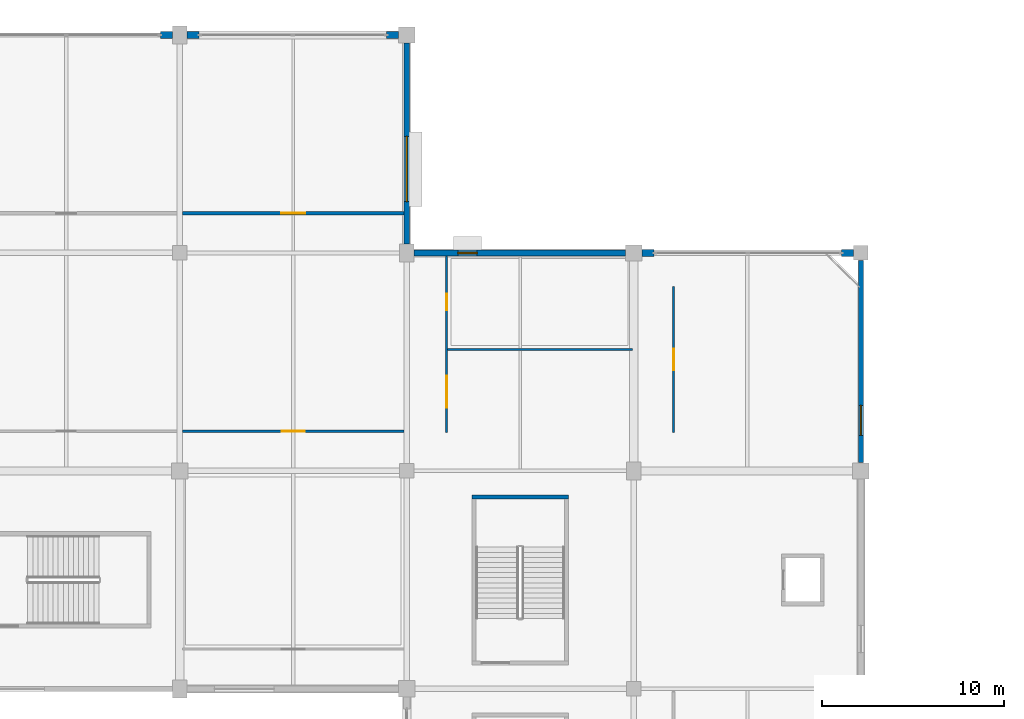
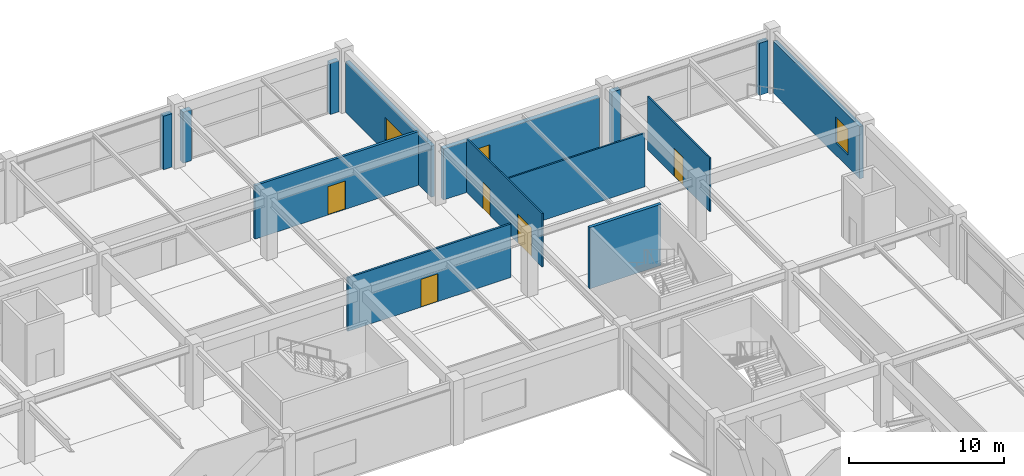
# One storey, part 82 of 116: 14 walls, 5 doors, 3 windows, 8 openings.
"""IFC4 building model written with IfcOpenShell, lengths in metres."""

from ifc_helpers import new_model, si_unit, direction, frame, frame_2d, origin, place, context, subcontext, project, spatial, rectangle, extrude, material, layer, layer_set, type_object, element, fill, save


model = new_model("IFC4")

# Units and contexts
model_context = context("Model", 3, precision=1e-05, world=origin(), true_north=direction((0.0, 1.0)))
body_context = subcontext(model_context, "Body", "Model", "MODEL_VIEW")
ifc_project = project(units=[si_unit("LENGTHUNIT", "METRE"), si_unit("AREAUNIT", "SQUARE_METRE"), si_unit("VOLUMEUNIT", "CUBIC_METRE"), si_unit("PLANEANGLEUNIT", "RADIAN"), si_unit("MASSUNIT", "GRAM", prefix="KILO")], contexts=[model_context])

# Site, building, storey
site_placement = place(None, origin())
site = spatial("IfcSite", under=ifc_project, at=site_placement, CompositionType="ELEMENT")
building_placement = place(site_placement, origin())
building = spatial("IfcBuilding", under=site, at=building_placement, Name="Kazenohara Klinker Stadium", CompositionType="ELEMENT")
storey_placement = place(building_placement, frame((0.0, 0.0, 10.199951171875)))
storey = spatial("IfcBuildingStorey", under=building, at=storey_placement, Name="L02", CompositionType="ELEMENT", Elevation=10.199951171875)

# Wall
ifc_material_1 = material(Name="Concrete C40/50", Category="concrete")
ifc_layer_1 = layer(ifc_material_1, 0.22998046875)
ifc_layer_set_1 = layer_set([ifc_layer_1], Name="Concrete C40/50")
wall_type_1 = type_object("IfcWallType", Name="WAL-CORE-230", PredefinedType="SHEAR", material=ifc_layer_set_1)
wall_1_placement = place(storey_placement, frame((178.590087890625, 142.56494140625, 0.0), z_axis=(0.0, 0.0, 1.0), x_axis=(1.0, 0.0, 0.0)))
element("IfcWall", 1, at=wall_1_placement, inside=storey, type_object=wall_type_1, Name="Stairwell shear wall ST12 L02 North", PredefinedType="SHEAR", context=body_context, shape_type="SweptSolid", body=[
    extrude(rectangle(XDim=5.31982421875, YDim=0.22998046875, at=frame_2d((2.659912109375, 0.0))), origin(), (0.0, 0.0, 1.0), 4.820068359375),
])

# Wall, opening, window
ifc_material_2 = material(Name="Clinker brick masonry", Category="masonry")
ifc_layer_2 = layer(ifc_material_2, 0.280029296875)
ifc_layer_set_2 = layer_set([ifc_layer_2], Name="Clinker brick masonry")
wall_type_2 = type_object("IfcWallType", Name="WAL-EXT-CB280", PredefinedType="SOLIDWALL", material=ifc_layer_set_2)
wall_2_placement = place(storey_placement, frame((175.0, 156.50390625, 0.0), z_axis=(0.0, 0.0, 1.0), x_axis=(0.0, 1.0, 0.0)))
wall_2 = element("IfcWall", 2, at=wall_2_placement, inside=storey, type_object=wall_type_2, Name="Clinker brick cavity wall EW06 L02 Y14-13", PredefinedType="SOLIDWALL", context=body_context, shape_type="SweptSolid", body=[
    extrude(rectangle(XDim=11.0419921875, YDim=0.280029296875, at=frame_2d((5.52099609375, 0.0))), origin(), (0.0, 0.0, 1.0), 4.02001953125),
])
opening_1_placement = place(wall_2_placement, frame((2.31591796875, 0.0, 0.949951171875)))
opening_1 = element("IfcOpeningElement", 3, at=opening_1_placement, cuts=wall_2, Name="Opening W35", PredefinedType="OPENING", context=body_context, shape_type="SweptSolid", body=[
    extrude(rectangle(XDim=3.60009765625, YDim=1.75, at=frame_2d((1.800048828125, 0.875))), frame((0.0, 0.14990234375, 0.0), z_axis=(0.0, -1.0, 0.0), x_axis=(1.0, 0.0, 0.0)), (0.0, 0.0, 1.0), 0.300048828125),
])
ifc_material_3 = material(Name="Dark bronze aluminium frame and triple glazing", Category="aluminium")
window_type_1 = type_object("IfcWindowType", Name="WIN-AS-35", PartitioningType="SINGLE_PANEL", PredefinedType="WINDOW", material=ifc_material_3)
window_1_placement = place(opening_1_placement, origin())
window_1 = element("IfcWindow", 4, at=window_1_placement, inside=storey, type_object=window_type_1, Name="Horizontal-mullion ladder window W35 L02 Y14-13", OverallHeight=1.75, OverallWidth=3.60009765625, PartitioningType="SINGLE_PANEL", PredefinedType="WINDOW", context=body_context, shape_type="SweptSolid", body=[
    extrude(rectangle(XDim=3.60009765625, YDim=1.75, at=frame_2d((1.800048828125, 0.875))), frame((0.0, 0.030029296875, 0.0), z_axis=(0.0, -1.0, 0.0), x_axis=(1.0, 0.0, 0.0)), (0.0, 0.0, 1.0), 0.06005859375),
])
fill(opening_1, window_1)

wall_3_placement = place(storey_placement, frame((200.0, 144.4541015625, 0.0), z_axis=(0.0, 0.0, 1.0), x_axis=(0.0, 1.0, 0.0)))
wall_3 = element("IfcWall", 5, at=wall_3_placement, inside=storey, type_object=wall_type_2, Name="Clinker brick cavity wall EW06 L02 Y16-12", PredefinedType="SOLIDWALL", context=body_context, shape_type="SweptSolid", body=[
    extrude(rectangle(XDim=11.141845703125, YDim=0.280029296875, at=frame_2d((5.57080078125, 0.0))), origin(), (0.0, 0.0, 1.0), 4.1201171875),
])
opening_2_placement = place(wall_3_placement, frame((1.5, 0.0, 0.949951171875)))
opening_2 = element("IfcOpeningElement", 6, at=opening_2_placement, cuts=wall_3, Name="Opening W11", PredefinedType="OPENING", context=body_context, shape_type="SweptSolid", body=[
    extrude(rectangle(XDim=1.64990234375, YDim=2.050048828125, at=frame_2d((0.824951171875, 1.02490234375))), frame((0.0, 0.14990234375, 0.0), z_axis=(0.0, -1.0, 0.0), x_axis=(1.0, 0.0, 0.0)), (0.0, 0.0, 1.0), 0.300048828125),
])
window_type_2 = type_object("IfcWindowType", Name="WIN-AS-11", PartitioningType="SINGLE_PANEL", PredefinedType="WINDOW", material=ifc_material_3)
window_2_placement = place(opening_2_placement, origin())
window_2 = element("IfcWindow", 7, at=window_2_placement, inside=storey, type_object=window_type_2, Name="Horizontal-mullion ladder window W11 L02 Y16-12", OverallHeight=2.050048828125, OverallWidth=1.64990234375, PartitioningType="SINGLE_PANEL", PredefinedType="WINDOW", context=body_context, shape_type="SweptSolid", body=[
    extrude(rectangle(XDim=1.64990234375, YDim=2.050048828125, at=frame_2d((0.824951171875, 1.02490234375))), frame((0.0, 0.030029296875, 0.0), z_axis=(0.0, -1.0, 0.0), x_axis=(1.0, 0.0, 0.0)), (0.0, 0.0, 1.0), 0.06005859375),
])
fill(opening_2, window_2)

ifc_layer_3 = layer(ifc_material_2, 0.340087890625)
ifc_layer_set_3 = layer_set([ifc_layer_3], Name="Clinker brick masonry")
wall_type_3 = type_object("IfcWallType", Name="WAL-EXT-CB340", PredefinedType="SOLIDWALL", material=ifc_layer_set_3)
wall_4_placement = place(storey_placement, frame((175.404052734375, 156.0, 0.0), z_axis=(0.0, 0.0, 1.0), x_axis=(1.0, 0.0, 0.0)))
wall_4 = element("IfcWall", 8, at=wall_4_placement, inside=storey, type_object=wall_type_3, Name="Clinker brick cavity wall EW04 L02 X14-13", PredefinedType="SOLIDWALL", context=body_context, shape_type="SweptSolid", body=[
    extrude(rectangle(XDim=11.641845703125, YDim=0.340087890625, at=frame_2d((5.82080078125, 0.0))), origin(), (0.0, 0.0, 1.0), 4.02001953125),
])
opening_3_placement = place(wall_4_placement, frame((2.416015625, 0.0, 0.949951171875)))
opening_3 = element("IfcOpeningElement", 9, at=opening_3_placement, cuts=wall_4, Name="Opening W04", PredefinedType="OPENING", context=body_context, shape_type="SweptSolid", body=[
    extrude(rectangle(XDim=1.050048828125, YDim=2.199951171875, at=frame_2d((0.52490234375, 1.10009765625))), frame((0.0, 0.18017578125, 0.0), z_axis=(0.0, -1.0, 0.0), x_axis=(1.0, 0.0, 0.0)), (0.0, 0.0, 1.0), 0.360107421875),
])
window_type_3 = type_object("IfcWindowType", Name="WIN-AS-04", PartitioningType="SINGLE_PANEL", PredefinedType="WINDOW", material=ifc_material_3)
window_3_placement = place(opening_3_placement, origin())
window_3 = element("IfcWindow", 10, at=window_3_placement, inside=storey, type_object=window_type_3, Name="Horizontal-mullion ladder window W04 L02 X14-13", OverallHeight=2.199951171875, OverallWidth=1.050048828125, PartitioningType="SINGLE_PANEL", PredefinedType="WINDOW", context=body_context, shape_type="SweptSolid", body=[
    extrude(rectangle(XDim=1.050048828125, YDim=2.199951171875, at=frame_2d((0.52490234375, 1.10009765625))), frame((0.0, 0.030029296875, 0.0), z_axis=(0.0, -1.0, 0.0), x_axis=(1.0, 0.0, 0.0)), (0.0, 0.0, 1.0), 0.06005859375),
])
fill(opening_3, window_3)

# Walls
ifc_layer_4 = layer(ifc_material_2, 0.3701171875)
ifc_layer_set_4 = layer_set([ifc_layer_4], Name="Clinker brick masonry")
wall_type_4 = type_object("IfcWallType", Name="WAL-EXT-CB370", PredefinedType="SOLIDWALL", material=ifc_layer_set_4)
wall_5_placement = place(storey_placement, frame((161.446044921875, 168.0, 0.0), z_axis=(0.0, 0.0, 1.0), x_axis=(1.0, 0.0, 0.0)))
element("IfcWall", 11, at=wall_5_placement, inside=storey, type_object=wall_type_4, Name="Clinker brick curtain-wall jamb pier L02 X12-14 B", PredefinedType="SOLIDWALL", context=body_context, shape_type="SweptSolid", body=[
    extrude(rectangle(XDim=0.64990234375, YDim=0.3701171875, at=frame_2d((0.324951171875, 0.0))), origin(), (0.0, 0.0, 1.0), 4.219970703125),
])
for number, where, z_axis, x_axis, name in (
    (12, (162.904052734375, 168.0, 0.0), (0.0, 0.0, 1.0), (1.0, 0.0, 0.0), "Clinker brick curtain-wall jamb pier L02 X13-14 A"),
    (13, (173.89599609375, 168.0, 0.0), (0.0, 0.0, 1.0), (1.0, 0.0, 0.0), "Clinker brick curtain-wall jamb pier L02 X13-14 B"),
):
    element("IfcWall", number, at=place(storey_placement, frame(where, z_axis=z_axis, x_axis=x_axis)), inside=storey, type_object=wall_type_4, Name=name, PredefinedType="SOLIDWALL", context=body_context, shape_type="SweptSolid", body=[
        extrude(rectangle(XDim=0.64990234375, YDim=0.3701171875, at=frame_2d((0.324951171875, 0.0))), origin(), (0.0, 0.0, 1.0), 4.02001953125),
    ])
for number, where, z_axis, x_axis, name in (
    (14, (187.9541015625, 156.0, 0.0), (0.0, 0.0, 1.0), (1.0, 0.0, 0.0), "Clinker brick curtain-wall jamb pier L02 X15-13 A"),
    (15, (198.946044921875, 156.0, 0.0), (0.0, 0.0, 1.0), (1.0, 0.0, 0.0), "Clinker brick curtain-wall jamb pier L02 X15-13 B"),
):
    element("IfcWall", number, at=place(storey_placement, frame(where, z_axis=z_axis, x_axis=x_axis)), inside=storey, type_object=wall_type_4, Name=name, PredefinedType="SOLIDWALL", context=body_context, shape_type="SweptSolid", body=[
        extrude(rectangle(XDim=0.64990234375, YDim=0.3701171875, at=frame_2d((0.324951171875, 0.0))), origin(), (0.0, 0.0, 1.0), 4.1201171875),
    ])

# Wall, openings, doors
ifc_material_4 = material(Name="Fire-rated gypsum board on acoustic studs", Category="gypsum")
ifc_layer_5 = layer(ifc_material_4, 0.110107421875)
ifc_layer_set_5 = layer_set([ifc_layer_5], Name="Fire-rated gypsum board on acoustic studs")
wall_type_5 = type_object("IfcWallType", Name="WAL-INT-P110", PredefinedType="PARTITIONING", material=ifc_layer_set_5)
wall_6_placement = place(storey_placement, frame((177.18994140625, 146.1201171875, 0.0), z_axis=(0.0, 0.0, 1.0), x_axis=(0.0, 1.0, 0.0)))
wall_6 = element("IfcWall", 16, at=wall_6_placement, inside=storey, type_object=wall_type_5, Name="Interior partition wall PT01 SPC-L02-14-12-1-1", PredefinedType="PARTITIONING", context=body_context, shape_type="SweptSolid", body=[
    extrude(rectangle(XDim=9.707763671875, YDim=0.110107421875, at=frame_2d((4.85400390625, 0.0))), origin(), (0.0, 0.0, 1.0), 4.219970703125),
])
opening_4_placement = place(wall_6_placement, frame((3.124267578125, 0.0, 0.0), z_axis=(0.0, 0.0, 1.0), x_axis=(-1.0, 0.0, 0.0)))
opening_4 = element("IfcOpeningElement", 17, at=opening_4_placement, cuts=wall_6, Name="Opening ID26", PredefinedType="OPENING", context=body_context, shape_type="SweptSolid", body=[
    extrude(rectangle(XDim=1.760009765625, YDim=2.300048828125, at=frame_2d((0.8798828125, 1.14990234375))), frame((0.0, 0.06494140625, 0.0), z_axis=(0.0, -1.0, 0.0), x_axis=(1.0, 0.0, 0.0)), (0.0, 0.0, 1.0), 0.130126953125),
])
opening_5_placement = place(wall_6_placement, frame((7.634033203125, 0.0, 0.0), z_axis=(0.0, 0.0, 1.0), x_axis=(-1.0, 0.0, 0.0)))
opening_5 = element("IfcOpeningElement", 18, at=opening_5_placement, cuts=wall_6, Name="Opening ID01", PredefinedType="OPENING", context=body_context, shape_type="SweptSolid", body=[
    extrude(rectangle(XDim=0.89990234375, YDim=2.06005859375, at=frame_2d((0.449951171875, 1.030029296875))), frame((0.0, 0.06494140625, 0.0), z_axis=(0.0, -1.0, 0.0), x_axis=(1.0, 0.0, 0.0)), (0.0, 0.0, 1.0), 0.130126953125),
])
ifc_material_5 = material(Name="Solid-core Hokkaido oak fire door", Category="wood")
door_type_1 = type_object("IfcDoorType", Name="DR-INT-01", OperationType="NOTDEFINED", PredefinedType="DOOR", material=ifc_material_5)
door_1_placement = place(opening_5_placement, origin())
door_1 = element("IfcDoor", 19, at=door_1_placement, inside=storey, type_object=door_type_1, Name="Interior door ID01 Club Level Sommelier Wine Bar L02-1412B", OperationType="SINGLE_SWING_RIGHT", OverallHeight=2.06005859375, OverallWidth=0.89990234375, PredefinedType="DOOR", context=body_context, shape_type="SweptSolid", body=[
    extrude(rectangle(XDim=0.89990234375, YDim=2.06005859375, at=frame_2d((0.449951171875, 1.030029296875))), frame((0.0, 0.02490234375, 0.0), z_axis=(0.0, -1.0, 0.0), x_axis=(1.0, 0.0, 0.0)), (0.0, 0.0, 1.0), 0.050048828125),
])
fill(opening_5, door_1)
ifc_material_6 = material(Name="Painted steel plant fire door", Category="steel")
door_type_2 = type_object("IfcDoorType", Name="DR-INT-26", OperationType="NOTDEFINED", PredefinedType="DOOR", material=ifc_material_6)
door_2_placement = place(opening_4_placement, origin())
door_2 = element("IfcDoor", 20, at=door_2_placement, inside=storey, type_object=door_type_2, Name="Interior door ID26 Corporate Hospitality Viewing Suite L02-1412A", OperationType="SINGLE_SWING_LEFT", OverallHeight=2.300048828125, OverallWidth=1.760009765625, PredefinedType="DOOR", context=body_context, shape_type="SweptSolid", body=[
    extrude(rectangle(XDim=1.760009765625, YDim=2.300048828125, at=frame_2d((0.8798828125, 1.14990234375))), frame((0.0, 0.02490234375, 0.0), z_axis=(0.0, -1.0, 0.0), x_axis=(1.0, 0.0, 0.0)), (0.0, 0.0, 1.0), 0.050048828125),
])
fill(opening_4, door_2)

# Wall, opening, door
wall_7_placement = place(storey_placement, frame((189.68994140625, 146.1201171875, 0.0), z_axis=(0.0, 0.0, 1.0), x_axis=(0.0, 1.0, 0.0)))
wall_7 = element("IfcWall", 21, at=wall_7_placement, inside=storey, type_object=wall_type_5, Name="Interior partition wall PT01 SPC-L02-15-12-1-1", PredefinedType="PARTITIONING", context=body_context, shape_type="SweptSolid", body=[
    extrude(rectangle(XDim=8.02978515625, YDim=0.110107421875, at=frame_2d((4.014892578125, 0.0))), origin(), (0.0, 0.0, 1.0), 4.219970703125),
])
opening_6_placement = place(wall_7_placement, frame((4.60498046875, 0.0, 0.0), z_axis=(0.0, 0.0, 1.0), x_axis=(-1.0, 0.0, 0.0)))
opening_6 = element("IfcOpeningElement", 22, at=opening_6_placement, cuts=wall_7, Name="Opening ID11", PredefinedType="OPENING", context=body_context, shape_type="SweptSolid", body=[
    extrude(rectangle(XDim=1.179931640625, YDim=2.199951171875, at=frame_2d((0.58984375, 1.10009765625))), frame((0.0, 0.06494140625, 0.0), z_axis=(0.0, -1.0, 0.0), x_axis=(1.0, 0.0, 0.0)), (0.0, 0.0, 1.0), 0.130126953125),
])
door_type_3 = type_object("IfcDoorType", Name="DR-INT-11", OperationType="NOTDEFINED", PredefinedType="DOOR", material=ifc_material_5)
door_3_placement = place(opening_6_placement, origin())
door_3 = element("IfcDoor", 23, at=door_3_placement, inside=storey, type_object=door_type_3, Name="Interior door ID11 Club Level Sommelier Wine Bar L02-1512A", OperationType="SINGLE_SWING_RIGHT", OverallHeight=2.199951171875, OverallWidth=1.179931640625, PredefinedType="DOOR", context=body_context, shape_type="SweptSolid", body=[
    extrude(rectangle(XDim=1.179931640625, YDim=2.199951171875, at=frame_2d((0.58984375, 1.10009765625))), frame((0.0, 0.02490234375, 0.0), z_axis=(0.0, -1.0, 0.0), x_axis=(1.0, 0.0, 0.0)), (0.0, 0.0, 1.0), 0.050048828125),
])
fill(opening_6, door_3)

# Wall
ifc_layer_6 = layer(ifc_material_4, 0.1201171875)
ifc_layer_set_6 = layer_set([ifc_layer_6], Name="Fire-rated gypsum board on acoustic studs")
wall_type_6 = type_object("IfcWallType", Name="WAL-INT-P120", PredefinedType="PARTITIONING", material=ifc_layer_set_6)
wall_8_placement = place(storey_placement, frame((177.25, 150.6884765625, 0.0), z_axis=(0.0, 0.0, 1.0), x_axis=(1.0, 0.0, 0.0)))
element("IfcWall", 24, at=wall_8_placement, inside=storey, type_object=wall_type_6, Name="Interior partition wall PT02 SPC-L02-14-12-1-2", PredefinedType="PARTITIONING", context=body_context, shape_type="SweptSolid", body=[
    extrude(rectangle(XDim=10.169921875, YDim=0.1201171875, at=frame_2d((5.0849609375, 0.0))), origin(), (0.0, 0.0, 1.0), 4.219970703125),
])

# Wall, opening, door
ifc_layer_7 = layer(ifc_material_4, 0.14990234375)
ifc_layer_set_7 = layer_set([ifc_layer_7], Name="Fire-rated gypsum board on acoustic studs")
wall_type_7 = type_object("IfcWallType", Name="WAL-INT-P150", PredefinedType="PARTITIONING", material=ifc_layer_set_7)
wall_9_placement = place(storey_placement, frame((162.659912109375, 146.18994140625, 0.0), z_axis=(0.0, 0.0, 1.0), x_axis=(1.0, 0.0, 0.0)))
wall_9 = element("IfcWall", 25, at=wall_9_placement, inside=storey, type_object=wall_type_7, Name="Interior partition wall PT04 SPC-L02-13-12-1-1", PredefinedType="PARTITIONING", context=body_context, shape_type="SweptSolid", body=[
    extrude(rectangle(XDim=12.18017578125, YDim=0.14990234375, at=frame_2d((6.090087890625, 0.0))), origin(), (0.0, 0.0, 1.0), 4.219970703125),
])
opening_7_placement = place(wall_9_placement, frame((5.455078125, 0.0, 0.0)))
opening_7 = element("IfcOpeningElement", 26, at=opening_7_placement, cuts=wall_9, Name="Opening ID14", PredefinedType="OPENING", context=body_context, shape_type="SweptSolid", body=[
    extrude(rectangle(XDim=1.27001953125, YDim=2.199951171875, at=frame_2d((0.635009765625, 1.10009765625))), frame((0.0, 0.0849609375, 0.0), z_axis=(0.0, -1.0, 0.0), x_axis=(1.0, 0.0, 0.0)), (0.0, 0.0, 1.0), 0.169921875),
])
door_type_4 = type_object("IfcDoorType", Name="DR-INT-14", OperationType="NOTDEFINED", PredefinedType="DOOR", material=ifc_material_5)
door_4_placement = place(opening_7_placement, origin())
door_4 = element("IfcDoor", 27, at=door_4_placement, inside=storey, type_object=door_type_4, Name="Interior door ID14 Corporate Hospitality Viewing Suite L02-1312A", OperationType="SINGLE_SWING_LEFT", OverallHeight=2.199951171875, OverallWidth=1.27001953125, PredefinedType="DOOR", context=body_context, shape_type="SweptSolid", body=[
    extrude(rectangle(XDim=1.27001953125, YDim=2.199951171875, at=frame_2d((0.635009765625, 1.10009765625))), frame((0.0, 0.02490234375, 0.0), z_axis=(0.0, -1.0, 0.0), x_axis=(1.0, 0.0, 0.0)), (0.0, 0.0, 1.0), 0.050048828125),
])
fill(opening_7, door_4)

ifc_layer_8 = layer(ifc_material_4, 0.18994140625)
ifc_layer_set_8 = layer_set([ifc_layer_8], Name="Fire-rated gypsum board on acoustic studs")
wall_type_8 = type_object("IfcWallType", Name="WAL-INT-P190", PredefinedType="PARTITIONING", material=ifc_layer_set_8)
wall_10_placement = place(storey_placement, frame((162.659912109375, 158.18994140625, 0.0), z_axis=(0.0, 0.0, 1.0), x_axis=(1.0, 0.0, 0.0)))
wall_10 = element("IfcWall", 28, at=wall_10_placement, inside=storey, type_object=wall_type_8, Name="Interior partition wall PT06 SPC-L02-13-13-1-1", PredefinedType="PARTITIONING", context=body_context, shape_type="SweptSolid", body=[
    extrude(rectangle(XDim=12.197998046875, YDim=0.18994140625, at=frame_2d((6.09912109375, 0.0))), origin(), (0.0, 0.0, 1.0), 4.219970703125),
])
opening_8_placement = place(wall_10_placement, frame((5.43994140625, 0.0, 0.0)))
opening_8 = element("IfcOpeningElement", 29, at=opening_8_placement, cuts=wall_10, Name="Opening ID15", PredefinedType="OPENING", context=body_context, shape_type="SweptSolid", body=[
    extrude(rectangle(XDim=1.300048828125, YDim=2.239990234375, at=frame_2d((0.64990234375, 1.1201171875))), frame((0.0, 0.10498046875, 0.0), z_axis=(0.0, -1.0, 0.0), x_axis=(1.0, 0.0, 0.0)), (0.0, 0.0, 1.0), 0.2099609375),
])
door_type_5 = type_object("IfcDoorType", Name="DR-INT-15", OperationType="NOTDEFINED", PredefinedType="DOOR", material=ifc_material_5)
door_5_placement = place(opening_8_placement, origin())
door_5 = element("IfcDoor", 30, at=door_5_placement, inside=storey, type_object=door_type_5, Name="Interior door ID15 Hospitality Culinary Catering Kitchen L02-1313A", OperationType="SINGLE_SWING_RIGHT", OverallHeight=2.239990234375, OverallWidth=1.300048828125, PredefinedType="DOOR", context=body_context, shape_type="SweptSolid", body=[
    extrude(rectangle(XDim=1.300048828125, YDim=2.239990234375, at=frame_2d((0.64990234375, 1.1201171875))), frame((0.0, 0.02490234375, 0.0), z_axis=(0.0, -1.0, 0.0), x_axis=(1.0, 0.0, 0.0)), (0.0, 0.0, 1.0), 0.050048828125),
])
fill(opening_8, door_5)

save(model, "model.ifc")
